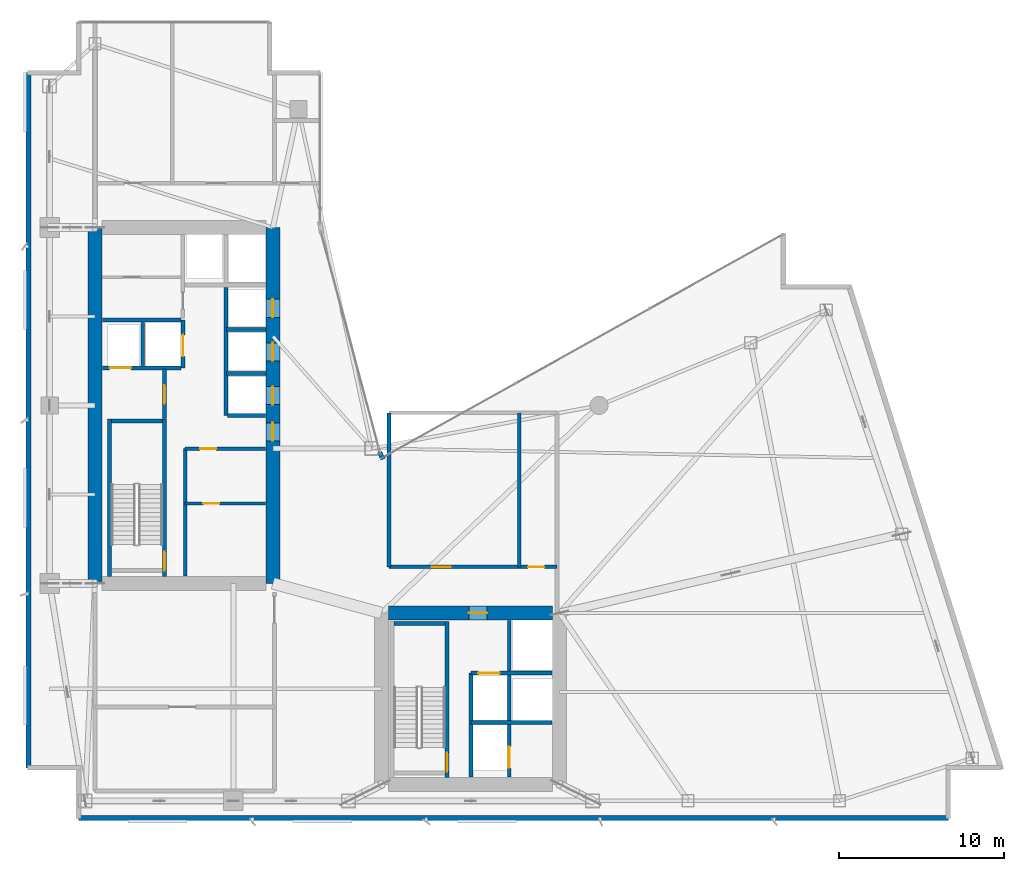
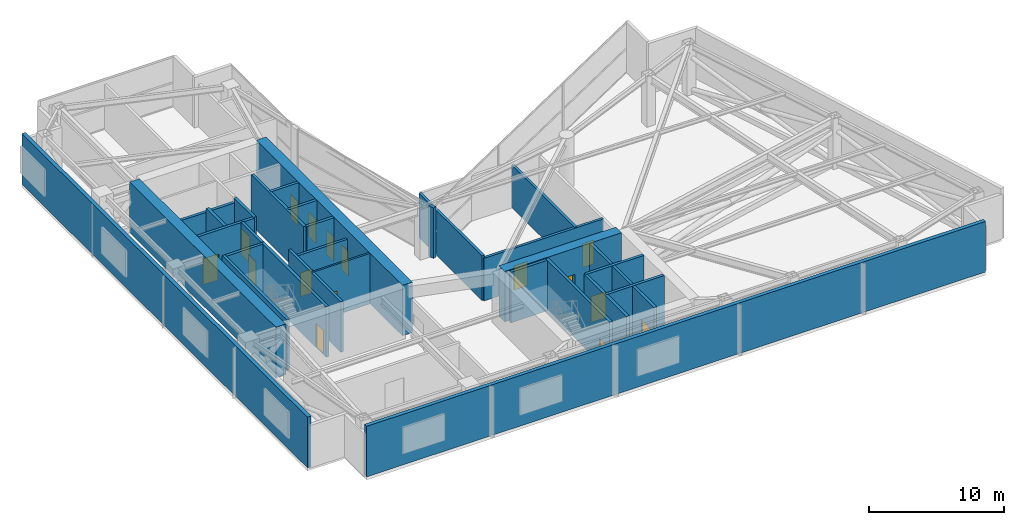
# One storey, part 15 of 19: 30 walls, 16 doors, 16 openings.
"""IFC4 building model written with IfcOpenShell, lengths in metres."""

from ifc_helpers import new_model, si_unit, direction, frame, frame_2d, origin, place, context, subcontext, project, spatial, rectangle, extrude, material, layer, layer_set, type_object, element, fill, save


model = new_model("IFC4")

# Units and contexts
model_context = context("Model", 3, precision=1e-05, world=origin(), true_north=direction((0.0, 1.0)))
body_context = subcontext(model_context, "Body", "Model", "MODEL_VIEW")
ifc_project = project(units=[si_unit("LENGTHUNIT", "METRE"), si_unit("AREAUNIT", "SQUARE_METRE"), si_unit("VOLUMEUNIT", "CUBIC_METRE"), si_unit("PLANEANGLEUNIT", "RADIAN"), si_unit("MASSUNIT", "GRAM", prefix="KILO")], contexts=[model_context])

# Site, building, storey
site_placement = place(None, origin())
site = spatial("IfcSite", under=ifc_project, at=site_placement, CompositionType="ELEMENT")
building_placement = place(site_placement, origin())
building = spatial("IfcBuilding", under=site, at=building_placement, Name="Calvorn Quay Hotel", CompositionType="ELEMENT")
storey_placement = place(building_placement, frame((0.0, 0.0, 139.199951171875)))
storey = spatial("IfcBuildingStorey", under=building, at=storey_placement, Name="L34", CompositionType="ELEMENT", Elevation=139.199951171875)

# Wall
ifc_material_1 = material(Name="Concrete C50", Category="concrete")
ifc_layer_1 = layer(ifc_material_1, 0.85009765625)
ifc_layer_set_1 = layer_set([ifc_layer_1], Name="WL-CORE-850")
wall_type_1 = type_object("IfcWallType", Name="WL-CORE-850", PredefinedType="SHEAR", material=ifc_layer_set_1)
wall_1_placement = place(storey_placement, frame((4.199951171875, 16.800048828125, 0.0), z_axis=(0.0, 0.0, 1.0), x_axis=(0.0, 1.0, 0.0)))
element("IfcWall", 1, at=wall_1_placement, inside=storey, type_object=wall_type_1, Name="West Core Shear Wall W (L34)", PredefinedType="SHEAR", context=body_context, shape_type="SweptSolid", body=[
    extrude(rectangle(XDim=21.599853515625, YDim=0.85009765625, at=frame_2d((10.7998046875, 0.0))), origin(), (0.0, 0.0, 1.0), 4.56005859375),
])

# Wall, openings, doors
wall_2_placement = place(storey_placement, frame((15.0, 16.800048828125, 0.0), z_axis=(0.0, 0.0, 1.0), x_axis=(0.0, 1.0, 0.0)))
wall_2 = element("IfcWall", 2, at=wall_2_placement, inside=storey, type_object=wall_type_1, Name="West Core Shear Wall E (L34)", PredefinedType="SHEAR", context=body_context, shape_type="SweptSolid", body=[
    extrude(rectangle(XDim=21.599853515625, YDim=0.85009765625, at=frame_2d((10.7998046875, 0.0))), origin(), (0.0, 0.0, 1.0), 4.56005859375),
])
opening_1_placement = place(wall_2_placement, frame((8.64990234375, 0.0, 0.0)))
opening_1 = element("IfcOpeningElement", 3, at=opening_1_placement, cuts=wall_2, Name="Opening D-L34-CW1", PredefinedType="OPENING", context=body_context, shape_type="SweptSolid", body=[
    extrude(rectangle(XDim=1.10009765625, YDim=2.199951171875, at=frame_2d((0.550048828125, 1.10009765625))), frame((0.0, 0.43505859375, 0.0), z_axis=(0.0, -1.0, 0.0), x_axis=(1.0, 0.0, 0.0)), (0.0, 0.0, 1.0), 0.8701171875),
])
opening_2_placement = place(wall_2_placement, frame((10.85009765625, 0.0, 0.0)))
opening_2 = element("IfcOpeningElement", 4, at=opening_2_placement, cuts=wall_2, Name="Opening LD-L34-M1", PredefinedType="OPENING", context=body_context, shape_type="SweptSolid", body=[
    extrude(rectangle(XDim=1.10009765625, YDim=2.199951171875, at=frame_2d((0.550048828125, 1.10009765625))), frame((0.0, 0.43505859375, 0.0), z_axis=(0.0, -1.0, 0.0), x_axis=(1.0, 0.0, 0.0)), (0.0, 0.0, 1.0), 0.8701171875),
])
opening_3_placement = place(wall_2_placement, frame((13.5, 0.0, 0.0)))
opening_3 = element("IfcOpeningElement", 5, at=opening_3_placement, cuts=wall_2, Name="Opening LD-L34-M2", PredefinedType="OPENING", context=body_context, shape_type="SweptSolid", body=[
    extrude(rectangle(XDim=1.10009765625, YDim=2.199951171875, at=frame_2d((0.550048828125, 1.10009765625))), frame((0.0, 0.43505859375, 0.0), z_axis=(0.0, -1.0, 0.0), x_axis=(1.0, 0.0, 0.0)), (0.0, 0.0, 1.0), 0.8701171875),
])
opening_4_placement = place(wall_2_placement, frame((16.14990234375, 0.0, 0.0)))
opening_4 = element("IfcOpeningElement", 6, at=opening_4_placement, cuts=wall_2, Name="Opening LD-L34-M3", PredefinedType="OPENING", context=body_context, shape_type="SweptSolid", body=[
    extrude(rectangle(XDim=1.10009765625, YDim=2.199951171875, at=frame_2d((0.550048828125, 1.10009765625))), frame((0.0, 0.43505859375, 0.0), z_axis=(0.0, -1.0, 0.0), x_axis=(1.0, 0.0, 0.0)), (0.0, 0.0, 1.0), 0.8701171875),
])
ifc_material_2 = material(Name="Smoke-Sealed Steel Class A Fire Door", Category="steel")
door_type_1 = type_object("IfcDoorType", Name="DR-FFLOBBY-1100", OperationType="NOTDEFINED", PredefinedType="DOOR", material=ifc_material_2)
door_1_placement = place(opening_1_placement, origin())
door_1 = element("IfcDoor", 7, at=door_1_placement, inside=storey, type_object=door_type_1, Name="West Core Vestibule Fire Door (L34)", OperationType="SINGLE_SWING_LEFT", OverallHeight=2.199951171875, OverallWidth=1.10009765625, PredefinedType="DOOR", context=body_context, shape_type="SweptSolid", body=[
    extrude(rectangle(XDim=1.10009765625, YDim=2.199951171875, at=frame_2d((0.550048828125, 1.10009765625))), frame((0.0, 0.02490234375, 0.0), z_axis=(0.0, -1.0, 0.0), x_axis=(1.0, 0.0, 0.0)), (0.0, 0.0, 1.0), 0.050048828125),
])
fill(opening_1, door_1)
ifc_material_3 = material(Name="Brushed Stainless Steel Sliding Lift Landing Door", Category="steel")
door_type_2 = type_object("IfcDoorType", Name="DR-LIFT-PASS-1100", OperationType="NOTDEFINED", PredefinedType="DOOR", material=ifc_material_3)
door_2_placement = place(opening_2_placement, origin())
door_2 = element("IfcDoor", 8, at=door_2_placement, inside=storey, type_object=door_type_2, Name="Mid-Rise Lift PL-M1 Landing Door (L34)", OperationType="DOUBLE_DOOR_SLIDING", OverallHeight=2.199951171875, OverallWidth=1.10009765625, PredefinedType="DOOR", context=body_context, shape_type="SweptSolid", body=[
    extrude(rectangle(XDim=1.10009765625, YDim=2.199951171875, at=frame_2d((0.550048828125, 1.10009765625))), frame((0.0, 0.02490234375, 0.0), z_axis=(0.0, -1.0, 0.0), x_axis=(1.0, 0.0, 0.0)), (0.0, 0.0, 1.0), 0.050048828125),
])
fill(opening_2, door_2)
door_3_placement = place(opening_3_placement, origin())
door_3 = element("IfcDoor", 9, at=door_3_placement, inside=storey, type_object=door_type_2, Name="Mid-Rise Lift PL-M2 Landing Door (L34)", OperationType="DOUBLE_DOOR_SLIDING", OverallHeight=2.199951171875, OverallWidth=1.10009765625, PredefinedType="DOOR", context=body_context, shape_type="SweptSolid", body=[
    extrude(rectangle(XDim=1.10009765625, YDim=2.199951171875, at=frame_2d((0.550048828125, 1.10009765625))), frame((0.0, 0.02490234375, 0.0), z_axis=(0.0, -1.0, 0.0), x_axis=(1.0, 0.0, 0.0)), (0.0, 0.0, 1.0), 0.050048828125),
])
fill(opening_3, door_3)
door_4_placement = place(opening_4_placement, origin())
door_4 = element("IfcDoor", 10, at=door_4_placement, inside=storey, type_object=door_type_2, Name="Mid-Rise Lift PL-M3 Landing Door (L34)", OperationType="DOUBLE_DOOR_SLIDING", OverallHeight=2.199951171875, OverallWidth=1.10009765625, PredefinedType="DOOR", context=body_context, shape_type="SweptSolid", body=[
    extrude(rectangle(XDim=1.10009765625, YDim=2.199951171875, at=frame_2d((0.550048828125, 1.10009765625))), frame((0.0, 0.02490234375, 0.0), z_axis=(0.0, -1.0, 0.0), x_axis=(1.0, 0.0, 0.0)), (0.0, 0.0, 1.0), 0.050048828125),
])
fill(opening_4, door_4)

# Wall, opening, door
wall_3_placement = place(storey_placement, frame((22.02490234375, 15.0, 0.0), z_axis=(0.0, 0.0, 1.0), x_axis=(1.0, 0.0, 0.0)))
wall_3 = element("IfcWall", 11, at=wall_3_placement, inside=storey, type_object=wall_type_1, Name="East Core Shear Wall N (L34)", PredefinedType="SHEAR", context=body_context, shape_type="SweptSolid", body=[
    extrude(rectangle(XDim=9.9501953125, YDim=0.85009765625, at=frame_2d((4.97509765625, 0.0))), origin(), (0.0, 0.0, 1.0), 4.56005859375),
])
opening_5_placement = place(wall_3_placement, frame((4.8798828125, 0.0, 0.0)))
opening_5 = element("IfcOpeningElement", 12, at=opening_5_placement, cuts=wall_3, Name="Opening D-L34-FLE", PredefinedType="OPENING", context=body_context, shape_type="SweptSolid", body=[
    extrude(rectangle(XDim=1.10009765625, YDim=2.199951171875, at=frame_2d((0.550048828125, 1.10009765625))), frame((0.0, 0.43505859375, 0.0), z_axis=(0.0, -1.0, 0.0), x_axis=(1.0, 0.0, 0.0)), (0.0, 0.0, 1.0), 0.8701171875),
])
door_5_placement = place(opening_5_placement, origin())
door_5 = element("IfcDoor", 13, at=door_5_placement, inside=storey, type_object=door_type_1, Name="East Firefighting Lobby Fire Door (L34)", OperationType="SINGLE_SWING_RIGHT", OverallHeight=2.199951171875, OverallWidth=1.10009765625, PredefinedType="DOOR", context=body_context, shape_type="SweptSolid", body=[
    extrude(rectangle(XDim=1.10009765625, YDim=2.199951171875, at=frame_2d((0.550048828125, 1.10009765625))), frame((0.0, 0.02490234375, 0.0), z_axis=(0.0, -1.0, 0.0), x_axis=(1.0, 0.0, 0.0)), (0.0, 0.0, 1.0), 0.050048828125),
])
fill(opening_5, door_5)

# Walls
ifc_material_4 = material(Name="Concrete C40", Category="concrete")
ifc_layer_2 = layer(ifc_material_4, 0.320068359375)
ifc_layer_set_2 = layer_set([ifc_layer_2], Name="WL-EXT-SPANDREL-320")
wall_type_2 = type_object("IfcWallType", Name="WL-EXT-SPANDREL-320", PredefinedType="SOLIDWALL", material=ifc_layer_set_2)
wall_4_placement = place(storey_placement, frame((0.159912109375, 5.60009765625, 0.0), z_axis=(0.0, 0.0, 1.0), x_axis=(0.0, 1.0, 0.0)))
element("IfcWall", 14, at=wall_4_placement, inside=storey, type_object=wall_type_2, Name="Refuge Mechanical Louvre Spandrel Wall West (L34)", PredefinedType="SOLIDWALL", context=body_context, shape_type="SweptSolid", body=[
    extrude(rectangle(XDim=42.199951171875, YDim=0.320068359375, at=frame_2d((21.10009765625, 0.0))), origin(), (0.0, 0.0, 1.0), 4.56005859375),
])
wall_5_placement = place(storey_placement, frame((3.199951171875, 2.56005859375, 0.0), z_axis=(0.0, 0.0, 1.0), x_axis=(1.0, 0.0, 0.0)))
element("IfcWall", 15, at=wall_5_placement, inside=storey, type_object=wall_type_2, Name="Refuge Mechanical Louvre Spandrel Wall South (L34)", PredefinedType="SOLIDWALL", context=body_context, shape_type="SweptSolid", body=[
    extrude(rectangle(XDim=52.800048828125, YDim=0.320068359375, at=frame_2d((26.39990234375, 0.0))), origin(), (0.0, 0.0, 1.0), 4.56005859375),
])
wall_6_placement = place(storey_placement, frame((21.679931640625, 24.340087890625, 0.0), z_axis=(0.0, 0.0, 1.0), x_axis=(-0.40758134973, 0.913168901875, 0.0)))
element("IfcWall", 16, at=wall_6_placement, inside=storey, type_object=wall_type_2, Name="Inner Court Corner Pier L34-ICJ1", PredefinedType="SOLIDWALL", context=body_context, shape_type="SweptSolid", body=[
    extrude(rectangle(XDim=0.470703125, YDim=0.280029296875, at=frame_2d((0.2353515625, 0.0))), origin(), (0.0, 0.0, 1.0), 4.56005859375),
])

# Wall, opening, door
ifc_material_5 = material(Name="Double-Stud Acoustic Gypsum Partition")
ifc_layer_3 = layer(ifc_material_5, 0.159912109375)
ifc_layer_set_3 = layer_set([ifc_layer_3], Name="WL-INTERSUITE-160")
wall_type_3 = type_object("IfcWallType", Name="WL-INTERSUITE-160", PredefinedType="PARTITIONING", material=ifc_layer_set_3)
wall_7_placement = place(storey_placement, frame((9.679931640625, 21.64990234375, 0.0), z_axis=(0.0, 0.0, 1.0), x_axis=(1.0, 0.0, 0.0)))
wall_7 = element("IfcWall", 17, at=wall_7_placement, inside=storey, type_object=wall_type_3, Name="Partition Wall L34-WL-CWW-FR-SPLIT", PredefinedType="PARTITIONING", context=body_context, shape_type="SweptSolid", body=[
    extrude(rectangle(XDim=4.875, YDim=0.159912109375, at=frame_2d((2.4375, 0.0))), origin(), (0.0, 0.0, 1.0), 4.56005859375),
])
opening_6_placement = place(wall_7_placement, frame((1.10009765625, 0.0, 0.0)))
opening_6 = element("IfcOpeningElement", 18, at=opening_6_placement, cuts=wall_7, Name="Opening D-L34-FRL1", PredefinedType="OPENING", context=body_context, shape_type="SweptSolid", body=[
    extrude(rectangle(XDim=0.97998046875, YDim=2.14990234375, at=frame_2d((0.489990234375, 1.074951171875))), frame((0.0, 0.08984375, 0.0), z_axis=(0.0, -1.0, 0.0), x_axis=(1.0, 0.0, 0.0)), (0.0, 0.0, 1.0), 0.179931640625),
])
ifc_material_6 = material(Name="Painted Steel Housekeeping/Riser Fire Door", Category="steel")
door_type_3 = type_object("IfcDoorType", Name="DR-SERVICE-980", OperationType="NOTDEFINED", PredefinedType="DOOR", material=ifc_material_6)
door_6_placement = place(opening_6_placement, origin())
door_6 = element("IfcDoor", 19, at=door_6_placement, inside=storey, type_object=door_type_3, Name="Linen Store Room Door (L34)", OperationType="SINGLE_SWING_LEFT", OverallHeight=2.14990234375, OverallWidth=0.97998046875, PredefinedType="DOOR", context=body_context, shape_type="SweptSolid", body=[
    extrude(rectangle(XDim=0.97998046875, YDim=2.14990234375, at=frame_2d((0.489990234375, 1.074951171875))), frame((0.0, 0.02490234375, 0.0), z_axis=(0.0, -1.0, 0.0), x_axis=(1.0, 0.0, 0.0)), (0.0, 0.0, 1.0), 0.050048828125),
])
fill(opening_6, door_6)

# Wall
ifc_material_7 = material(Name="Autoclaved Aerated Masonry Block", Category="masonry")
ifc_layer_4 = layer(ifc_material_7, 0.219970703125)
ifc_layer_set_4 = layer_set([ifc_layer_4], Name="WL-LOBBY-FIRE-220")
wall_type_4 = type_object("IfcWallType", Name="WL-LOBBY-FIRE-220", PredefinedType="SOLIDWALL", material=ifc_layer_set_4)
wall_8_placement = place(storey_placement, frame((9.679931640625, 17.2451171875, 0.0), z_axis=(0.0, 0.0, 1.0), x_axis=(0.0, 1.0, 0.0)))
element("IfcWall", 20, at=wall_8_placement, inside=storey, type_object=wall_type_4, Name="Partition Wall L34-WL-CWW-STW-HALL-E", PredefinedType="SOLIDWALL", context=body_context, shape_type="SweptSolid", body=[
    extrude(rectangle(XDim=7.7548828125, YDim=0.219970703125, at=frame_2d((3.87744140625, 0.0))), origin(), (0.0, 0.0, 1.0), 4.56005859375),
])

# Wall, opening, door
wall_9_placement = place(storey_placement, frame((9.679931640625, 24.969970703125, 0.0), z_axis=(0.0, 0.0, 1.0), x_axis=(1.0, 0.0, 0.0)))
wall_9 = element("IfcWall", 21, at=wall_9_placement, inside=storey, type_object=wall_type_4, Name="Partition Wall L34-WL-CWW-FR-N", PredefinedType="SOLIDWALL", context=body_context, shape_type="SweptSolid", body=[
    extrude(rectangle(XDim=4.875, YDim=0.219970703125, at=frame_2d((2.4375, 0.0))), origin(), (0.0, 0.0, 1.0), 3.840087890625),
])
opening_7_placement = place(wall_9_placement, frame((0.89990234375, 0.0, 0.0)))
opening_7 = element("IfcOpeningElement", 22, at=opening_7_placement, cuts=wall_9, Name="Opening D-L34-FRL2", PredefinedType="OPENING", context=body_context, shape_type="SweptSolid", body=[
    extrude(rectangle(XDim=0.97998046875, YDim=2.14990234375, at=frame_2d((0.489990234375, 1.074951171875))), frame((0.0, 0.119873046875, 0.0), z_axis=(0.0, -1.0, 0.0), x_axis=(1.0, 0.0, 0.0)), (0.0, 0.0, 1.0), 0.239990234375),
])
door_7_placement = place(opening_7_placement, origin())
door_7 = element("IfcDoor", 23, at=door_7_placement, inside=storey, type_object=door_type_3, Name="Beverage Pantry Door (L34)", OperationType="SINGLE_SWING_RIGHT", OverallHeight=2.14990234375, OverallWidth=0.97998046875, PredefinedType="DOOR", context=body_context, shape_type="SweptSolid", body=[
    extrude(rectangle(XDim=0.97998046875, YDim=2.14990234375, at=frame_2d((0.489990234375, 1.074951171875))), frame((0.0, 0.02490234375, 0.0), z_axis=(0.0, -1.0, 0.0), x_axis=(1.0, 0.0, 0.0)), (0.0, 0.0, 1.0), 0.050048828125),
])
fill(opening_7, door_7)

# Wall, openings, doors
wall_10_placement = place(storey_placement, frame((22.050048828125, 17.800048828125, 0.0), z_axis=(0.0, 0.0, 1.0), x_axis=(1.0, 0.0, 0.0)))
wall_10 = element("IfcWall", 24, at=wall_10_placement, inside=storey, type_object=wall_type_4, Name="Partition Wall L34-WL-RF-C-S", PredefinedType="SOLIDWALL", context=body_context, shape_type="SweptSolid", body=[
    extrude(rectangle(XDim=10.199951171875, YDim=0.219970703125, at=frame_2d((5.10009765625, 0.0))), origin(), (0.0, 0.0, 1.0), 3.840087890625),
])
opening_8_placement = place(wall_10_placement, frame((2.60009765625, 0.0, 0.0)))
opening_8 = element("IfcOpeningElement", 25, at=opening_8_placement, cuts=wall_10, Name="Opening D-L34-RF2", PredefinedType="OPENING", context=body_context, shape_type="SweptSolid", body=[
    extrude(rectangle(XDim=1.14990234375, YDim=2.199951171875, at=frame_2d((0.574951171875, 1.10009765625))), frame((0.0, 0.119873046875, 0.0), z_axis=(0.0, -1.0, 0.0), x_axis=(1.0, 0.0, 0.0)), (0.0, 0.0, 1.0), 0.239990234375),
])
opening_9_placement = place(wall_10_placement, frame((8.449951171875, 0.0, 0.0)))
opening_9 = element("IfcOpeningElement", 26, at=opening_9_placement, cuts=wall_10, Name="Opening D-L34-P4", PredefinedType="OPENING", context=body_context, shape_type="SweptSolid", body=[
    extrude(rectangle(XDim=0.97998046875, YDim=2.14990234375, at=frame_2d((0.489990234375, 1.074951171875))), frame((0.0, 0.119873046875, 0.0), z_axis=(0.0, -1.0, 0.0), x_axis=(1.0, 0.0, 0.0)), (0.0, 0.0, 1.0), 0.239990234375),
])
door_8_placement = place(opening_9_placement, origin())
door_8 = element("IfcDoor", 27, at=door_8_placement, inside=storey, type_object=door_type_3, Name="Pressurization Fan Plant Door", OperationType="SINGLE_SWING_RIGHT", OverallHeight=2.14990234375, OverallWidth=0.97998046875, PredefinedType="DOOR", context=body_context, shape_type="SweptSolid", body=[
    extrude(rectangle(XDim=0.97998046875, YDim=2.14990234375, at=frame_2d((0.489990234375, 1.074951171875))), frame((0.0, 0.02490234375, 0.0), z_axis=(0.0, -1.0, 0.0), x_axis=(1.0, 0.0, 0.0)), (0.0, 0.0, 1.0), 0.050048828125),
])
fill(opening_9, door_8)
ifc_material_8 = material(Name="Galvanised Steel Class A Fire Door", Category="steel")
door_type_4 = type_object("IfcDoorType", Name="DR-STAIR-SMOKE-1150", OperationType="NOTDEFINED", PredefinedType="DOOR", material=ifc_material_8)
door_9_placement = place(opening_8_placement, origin())
door_9 = element("IfcDoor", 28, at=door_9_placement, inside=storey, type_object=door_type_4, Name="Harbour Refuge Area Fire Door", OperationType="SINGLE_SWING_LEFT", OverallHeight=2.199951171875, OverallWidth=1.14990234375, PredefinedType="DOOR", context=body_context, shape_type="SweptSolid", body=[
    extrude(rectangle(XDim=1.14990234375, YDim=2.199951171875, at=frame_2d((0.574951171875, 1.10009765625))), frame((0.0, 0.02490234375, 0.0), z_axis=(0.0, -1.0, 0.0), x_axis=(1.0, 0.0, 0.0)), (0.0, 0.0, 1.0), 0.050048828125),
])
fill(opening_8, door_9)

# Walls
wall_11_placement = place(storey_placement, frame((29.949951171875, 17.800048828125, 0.0), z_axis=(0.0, 0.0, 1.0), x_axis=(0.0, 1.0, 0.0)))
element("IfcWall", 29, at=wall_11_placement, inside=storey, type_object=wall_type_4, Name="Partition Wall L34-WL-RF-C-DIV", PredefinedType="SOLIDWALL", context=body_context, shape_type="SweptSolid", body=[
    extrude(rectangle(XDim=9.349853515625, YDim=0.219970703125, at=frame_2d((4.6748046875, 0.0))), origin(), (0.0, 0.0, 1.0), 3.840087890625),
])
wall_12_placement = place(storey_placement, frame((22.050048828125, 17.800048828125, 0.0), z_axis=(0.0, 0.0, 1.0), x_axis=(0.0, 1.0, 0.0)))
element("IfcWall", 30, at=wall_12_placement, inside=storey, type_object=wall_type_4, Name="Partition Wall L34-WL-RF-C-W", PredefinedType="SOLIDWALL", context=body_context, shape_type="SweptSolid", body=[
    extrude(rectangle(XDim=9.349853515625, YDim=0.219970703125, at=frame_2d((4.6748046875, 0.0))), origin(), (0.0, 0.0, 1.0), 4.0400390625),
])
ifc_material_9 = material(Name="Concrete C40", Category="concrete")
ifc_layer_5 = layer(ifc_material_9, 0.239990234375)
ifc_layer_set_5 = layer_set([ifc_layer_5], Name="WL-SHAFT-240")
wall_type_5 = type_object("IfcWallType", Name="WL-SHAFT-240", PredefinedType="SOLIDWALL", material=ifc_layer_set_5)
wall_13_placement = place(storey_placement, frame((5.080078125, 17.22509765625, 0.0), z_axis=(0.0, 0.0, 1.0), x_axis=(0.0, 1.0, 0.0)))
element("IfcWall", 31, at=wall_13_placement, inside=storey, type_object=wall_type_5, Name="Stair STW Shaft Wall W (L34)", PredefinedType="SOLIDWALL", context=body_context, shape_type="SweptSolid", body=[
    extrude(rectangle(XDim=9.56494140625, YDim=0.239990234375, at=frame_2d((4.782470703125, 0.0))), origin(), (0.0, 0.0, 1.0), 4.56005859375),
])

# Wall, opening, door
wall_14_placement = place(storey_placement, frame((8.419921875, 17.22509765625, 0.0), z_axis=(0.0, 0.0, 1.0), x_axis=(0.0, 1.0, 0.0)))
wall_14 = element("IfcWall", 32, at=wall_14_placement, inside=storey, type_object=wall_type_5, Name="Stair STW Shaft Wall E (L34)", PredefinedType="SOLIDWALL", context=body_context, shape_type="SweptSolid", body=[
    extrude(rectangle(XDim=9.56494140625, YDim=0.239990234375, at=frame_2d((4.782470703125, 0.0))), origin(), (0.0, 0.0, 1.0), 4.56005859375),
])
opening_10_placement = place(wall_14_placement, frame((0.35009765625, 0.0, 0.0)))
opening_10 = element("IfcOpeningElement", 33, at=opening_10_placement, cuts=wall_14, Name="Opening D-L34-STW", PredefinedType="OPENING", context=body_context, shape_type="SweptSolid", body=[
    extrude(rectangle(XDim=1.14990234375, YDim=2.199951171875, at=frame_2d((0.574951171875, 1.10009765625))), frame((0.0, 0.1298828125, 0.0), z_axis=(0.0, -1.0, 0.0), x_axis=(1.0, 0.0, 0.0)), (0.0, 0.0, 1.0), 0.260009765625),
])
door_10_placement = place(opening_10_placement, origin())
door_10 = element("IfcDoor", 34, at=door_10_placement, inside=storey, type_object=door_type_4, Name="Stair ST-W Fire Door (L34)", OperationType="SINGLE_SWING_LEFT", OverallHeight=2.199951171875, OverallWidth=1.14990234375, PredefinedType="DOOR", context=body_context, shape_type="SweptSolid", body=[
    extrude(rectangle(XDim=1.14990234375, YDim=2.199951171875, at=frame_2d((0.574951171875, 1.10009765625))), frame((0.0, 0.02490234375, 0.0), z_axis=(0.0, -1.0, 0.0), x_axis=(1.0, 0.0, 0.0)), (0.0, 0.0, 1.0), 0.050048828125),
])
fill(opening_10, door_10)

# Wall
wall_15_placement = place(storey_placement, frame((5.199951171875, 26.669921875, 0.0), z_axis=(0.0, 0.0, 1.0), x_axis=(1.0, 0.0, 0.0)))
element("IfcWall", 35, at=wall_15_placement, inside=storey, type_object=wall_type_5, Name="Stair STW Shaft Wall N (L34)", PredefinedType="SOLIDWALL", context=body_context, shape_type="SweptSolid", body=[
    extrude(rectangle(XDim=3.10009765625, YDim=0.239990234375, at=frame_2d((1.550048828125, 0.0))), origin(), (0.0, 0.0, 1.0), 4.56005859375),
])

# Wall, opening, door
wall_16_placement = place(storey_placement, frame((25.570068359375, 5.02490234375, 0.0), z_axis=(0.0, 0.0, 1.0), x_axis=(0.0, 1.0, 0.0)))
wall_16 = element("IfcWall", 36, at=wall_16_placement, inside=storey, type_object=wall_type_5, Name="Stair STE Shaft Wall E (L34)", PredefinedType="SOLIDWALL", context=body_context, shape_type="SweptSolid", body=[
    extrude(rectangle(XDim=9.465087890625, YDim=0.239990234375, at=frame_2d((4.732421875, 0.0))), origin(), (0.0, 0.0, 1.0), 4.56005859375),
])
opening_11_placement = place(wall_16_placement, frame((0.35009765625, 0.0, 0.0)))
opening_11 = element("IfcOpeningElement", 37, at=opening_11_placement, cuts=wall_16, Name="Opening D-L34-STE", PredefinedType="OPENING", context=body_context, shape_type="SweptSolid", body=[
    extrude(rectangle(XDim=1.14990234375, YDim=2.199951171875, at=frame_2d((0.574951171875, 1.10009765625))), frame((0.0, 0.1298828125, 0.0), z_axis=(0.0, -1.0, 0.0), x_axis=(1.0, 0.0, 0.0)), (0.0, 0.0, 1.0), 0.260009765625),
])
door_11_placement = place(opening_11_placement, origin())
door_11 = element("IfcDoor", 38, at=door_11_placement, inside=storey, type_object=door_type_4, Name="Stair ST-E Fire Door (L34)", OperationType="SINGLE_SWING_RIGHT", OverallHeight=2.199951171875, OverallWidth=1.14990234375, PredefinedType="DOOR", context=body_context, shape_type="SweptSolid", body=[
    extrude(rectangle(XDim=1.14990234375, YDim=2.199951171875, at=frame_2d((0.574951171875, 1.10009765625))), frame((0.0, 0.02490234375, 0.0), z_axis=(0.0, -1.0, 0.0), x_axis=(1.0, 0.0, 0.0)), (0.0, 0.0, 1.0), 0.050048828125),
])
fill(opening_11, door_11)

# Walls
wall_17_placement = place(storey_placement, frame((22.35009765625, 14.3701171875, 0.0), z_axis=(0.0, 0.0, 1.0), x_axis=(1.0, 0.0, 0.0)))
element("IfcWall", 39, at=wall_17_placement, inside=storey, type_object=wall_type_5, Name="Stair STE Shaft Wall N (L34)", PredefinedType="SOLIDWALL", context=body_context, shape_type="SweptSolid", body=[
    extrude(rectangle(XDim=3.099853515625, YDim=0.239990234375, at=frame_2d((1.5498046875, 0.0))), origin(), (0.0, 0.0, 1.0), 4.56005859375),
])
for number, where, z_axis, x_axis, name in (
    (40, (12.179931640625, 29.550048828125, 0.0), (0.0, 0.0, 1.0), (1.0, 0.0, 0.0), "Lift Hoistway Divider Wall PLM12 (L34)"),
    (41, (12.179931640625, 32.199951171875, 0.0), (0.0, 0.0, 1.0), (1.0, 0.0, 0.0), "Lift Hoistway Divider Wall PLM23 (L34)"),
):
    element("IfcWall", number, at=place(storey_placement, frame(where, z_axis=z_axis, x_axis=x_axis)), inside=storey, type_object=wall_type_5, Name=name, PredefinedType="SOLIDWALL", context=body_context, shape_type="SweptSolid", body=[
        extrude(rectangle(XDim=2.39501953125, YDim=0.239990234375, at=frame_2d((1.197509765625, 0.0))), origin(), (0.0, 0.0, 1.0), 4.56005859375),
    ])

# Wall, opening, door
wall_18_placement = place(storey_placement, frame((8.419921875, 26.820068359375, 0.0), z_axis=(0.0, 0.0, 1.0), x_axis=(0.0, 1.0, 0.0)))
wall_18 = element("IfcWall", 42, at=wall_18_placement, inside=storey, type_object=wall_type_5, Name="Partition Wall L34-WL-CWW-FFL-E", PredefinedType="SOLIDWALL", context=body_context, shape_type="SweptSolid", body=[
    extrude(rectangle(XDim=3.0, YDim=0.239990234375, at=frame_2d((1.5, 0.0))), origin(), (0.0, 0.0, 1.0), 4.56005859375),
])
opening_12_placement = place(wall_18_placement, frame((0.89990234375, 0.0, 0.0)))
opening_12 = element("IfcOpeningElement", 43, at=opening_12_placement, cuts=wall_18, Name="Opening D-L34-FLW", PredefinedType="OPENING", context=body_context, shape_type="SweptSolid", body=[
    extrude(rectangle(XDim=1.10009765625, YDim=2.199951171875, at=frame_2d((0.550048828125, 1.10009765625))), frame((0.0, 0.1298828125, 0.0), z_axis=(0.0, -1.0, 0.0), x_axis=(1.0, 0.0, 0.0)), (0.0, 0.0, 1.0), 0.260009765625),
])
door_12_placement = place(opening_12_placement, origin())
door_12 = element("IfcDoor", 44, at=door_12_placement, inside=storey, type_object=door_type_1, Name="West Firefighting Lobby Fire Door (L34)", OperationType="SINGLE_SWING_RIGHT", OverallHeight=2.199951171875, OverallWidth=1.10009765625, PredefinedType="DOOR", context=body_context, shape_type="SweptSolid", body=[
    extrude(rectangle(XDim=1.10009765625, YDim=2.199951171875, at=frame_2d((0.550048828125, 1.10009765625))), frame((0.0, 0.02490234375, 0.0), z_axis=(0.0, -1.0, 0.0), x_axis=(1.0, 0.0, 0.0)), (0.0, 0.0, 1.0), 0.050048828125),
])
fill(opening_12, door_12)

wall_19_placement = place(storey_placement, frame((4.64501953125, 29.8798828125, 0.0), z_axis=(0.0, 0.0, 1.0), x_axis=(1.0, 0.0, 0.0)))
wall_19 = element("IfcWall", 45, at=wall_19_placement, inside=storey, type_object=wall_type_5, Name="Partition Wall L34-WL-CWW-FLW-S", PredefinedType="SOLIDWALL", context=body_context, shape_type="SweptSolid", body=[
    extrude(rectangle(XDim=4.77490234375, YDim=0.239990234375, at=frame_2d((2.387451171875, 0.0))), origin(), (0.0, 0.0, 1.0), 4.56005859375),
])
opening_13_placement = place(wall_19_placement, frame((0.449951171875, 0.0, 0.0)))
opening_13 = element("IfcOpeningElement", 46, at=opening_13_placement, cuts=wall_19, Name="Opening LD-L34-FLW1", PredefinedType="OPENING", context=body_context, shape_type="SweptSolid", body=[
    extrude(rectangle(XDim=1.300048828125, YDim=2.35009765625, at=frame_2d((0.64990234375, 1.175048828125))), frame((0.0, 0.1298828125, 0.0), z_axis=(0.0, -1.0, 0.0), x_axis=(1.0, 0.0, 0.0)), (0.0, 0.0, 1.0), 0.260009765625),
])
ifc_material_10 = material(Name="Champagne-Bronze Sliding Express Lift Landing Door")
door_type_5 = type_object("IfcDoorType", Name="DR-LIFT-SHUTTLE-1300", OperationType="NOTDEFINED", PredefinedType="DOOR", material=ifc_material_10)
door_13_placement = place(opening_13_placement, origin())
door_13 = element("IfcDoor", 47, at=door_13_placement, inside=storey, type_object=door_type_5, Name="Firefighting Lift FL-W1 Landing Door (L34)", OperationType="DOUBLE_DOOR_SLIDING", OverallHeight=2.35009765625, OverallWidth=1.300048828125, PredefinedType="DOOR", context=body_context, shape_type="SweptSolid", body=[
    extrude(rectangle(XDim=1.300048828125, YDim=2.35009765625, at=frame_2d((0.64990234375, 1.175048828125))), frame((0.0, 0.02490234375, 0.0), z_axis=(0.0, -1.0, 0.0), x_axis=(1.0, 0.0, 0.0)), (0.0, 0.0, 1.0), 0.050048828125),
])
fill(opening_13, door_13)

# Wall
wall_20_placement = place(storey_placement, frame((7.10009765625, 30.02001953125, 0.0), z_axis=(0.0, 0.0, 1.0), x_axis=(0.0, 1.0, 0.0)))
element("IfcWall", 48, at=wall_20_placement, inside=storey, type_object=wall_type_5, Name="Partition Wall L34-WL-CWW-FLW-DIV", PredefinedType="SOLIDWALL", context=body_context, shape_type="SweptSolid", body=[
    extrude(rectangle(XDim=2.6298828125, YDim=0.239990234375, at=frame_2d((1.31494140625, 0.0))), origin(), (0.0, 0.0, 1.0), 4.56005859375),
])

# Wall, opening, door
wall_21_placement = place(storey_placement, frame((9.5400390625, 29.8798828125, 0.0), z_axis=(0.0, 0.0, 1.0), x_axis=(0.0, 1.0, 0.0)))
wall_21 = element("IfcWall", 49, at=wall_21_placement, inside=storey, type_object=wall_type_5, Name="Partition Wall L34-WL-CWW-SLW-E", PredefinedType="SOLIDWALL", context=body_context, shape_type="SweptSolid", body=[
    extrude(rectangle(XDim=2.900146484375, YDim=0.239990234375, at=frame_2d((1.4501953125, 0.0))), origin(), (0.0, 0.0, 1.0), 4.56005859375),
])
opening_14_placement = place(wall_21_placement, frame((0.699951171875, 0.0, 0.0)))
opening_14 = element("IfcOpeningElement", 50, at=opening_14_placement, cuts=wall_21, Name="Opening LD-L34-SLW1", PredefinedType="OPENING", context=body_context, shape_type="SweptSolid", body=[
    extrude(rectangle(XDim=1.300048828125, YDim=2.35009765625, at=frame_2d((0.64990234375, 1.175048828125))), frame((0.0, 0.1298828125, 0.0), z_axis=(0.0, -1.0, 0.0), x_axis=(1.0, 0.0, 0.0)), (0.0, 0.0, 1.0), 0.260009765625),
])
door_14_placement = place(opening_14_placement, origin())
door_14 = element("IfcDoor", 51, at=door_14_placement, inside=storey, type_object=door_type_5, Name="Service Lift SL-W1 Landing Door (L34)", OperationType="DOUBLE_DOOR_SLIDING", OverallHeight=2.35009765625, OverallWidth=1.300048828125, PredefinedType="DOOR", context=body_context, shape_type="SweptSolid", body=[
    extrude(rectangle(XDim=1.300048828125, YDim=2.35009765625, at=frame_2d((0.64990234375, 1.175048828125))), frame((0.0, 0.02490234375, 0.0), z_axis=(0.0, -1.0, 0.0), x_axis=(1.0, 0.0, 0.0)), (0.0, 0.0, 1.0), 0.050048828125),
])
fill(opening_14, door_14)

# Walls
wall_22_placement = place(storey_placement, frame((4.64501953125, 32.780029296875, 0.0), z_axis=(0.0, 0.0, 1.0), x_axis=(1.0, 0.0, 0.0)))
element("IfcWall", 52, at=wall_22_placement, inside=storey, type_object=wall_type_5, Name="Partition Wall L34-WL-CWW-SLW-N", PredefinedType="SOLIDWALL", context=body_context, shape_type="SweptSolid", body=[
    extrude(rectangle(XDim=4.77490234375, YDim=0.239990234375, at=frame_2d((2.387451171875, 0.0))), origin(), (0.0, 0.0, 1.0), 4.18994140625),
])
wall_23_placement = place(storey_placement, frame((12.25, 27.0, 0.0), z_axis=(0.0, 0.0, 1.0), x_axis=(1.0, 0.0, 0.0)))
element("IfcWall", 53, at=wall_23_placement, inside=storey, type_object=wall_type_5, Name="Partition Wall L34-WL-CWW-PLM-S", PredefinedType="SOLIDWALL", context=body_context, shape_type="SweptSolid", body=[
    extrude(rectangle(XDim=2.304931640625, YDim=0.239990234375, at=frame_2d((1.15234375, 0.0))), origin(), (0.0, 0.0, 1.0), 4.56005859375),
])
wall_24_placement = place(storey_placement, frame((12.14990234375, 27.0, 0.0), z_axis=(0.0, 0.0, 1.0), x_axis=(0.0, 1.0, 0.0)))
element("IfcWall", 54, at=wall_24_placement, inside=storey, type_object=wall_type_5, Name="Partition Wall L34-WL-CWW-PLM-W", PredefinedType="SOLIDWALL", context=body_context, shape_type="SweptSolid", body=[
    extrude(rectangle(XDim=7.75, YDim=0.239990234375, at=frame_2d((3.875, 0.0))), origin(), (0.0, 0.0, 1.0), 4.56005859375),
])
wall_25_placement = place(storey_placement, frame((27.02001953125, 5.044921875, 0.0), z_axis=(0.0, 0.0, 1.0), x_axis=(0.0, 1.0, 0.0)))
element("IfcWall", 55, at=wall_25_placement, inside=storey, type_object=wall_type_5, Name="Partition Wall L34-WL-CWE-SH-W", PredefinedType="SOLIDWALL", context=body_context, shape_type="SweptSolid", body=[
    extrude(rectangle(XDim=6.30517578125, YDim=0.239990234375, at=frame_2d((3.152587890625, 0.0))), origin(), (0.0, 0.0, 1.0), 4.56005859375),
])

# Wall, opening, door
wall_26_placement = place(storey_placement, frame((27.02001953125, 11.35009765625, 0.0), z_axis=(0.0, 0.0, 1.0), x_axis=(1.0, 0.0, 0.0)))
wall_26 = element("IfcWall", 56, at=wall_26_placement, inside=storey, type_object=wall_type_5, Name="Partition Wall L34-WL-CWE-FFL-S", PredefinedType="SOLIDWALL", context=body_context, shape_type="SweptSolid", body=[
    extrude(rectangle(XDim=4.93505859375, YDim=0.239990234375, at=frame_2d((2.467529296875, 0.0))), origin(), (0.0, 0.0, 1.0), 4.56005859375),
])
opening_15_placement = place(wall_26_placement, frame((0.449951171875, 0.0, 0.0)))
opening_15 = element("IfcOpeningElement", 57, at=opening_15_placement, cuts=wall_26, Name="Opening LD-L34-FLE1", PredefinedType="OPENING", context=body_context, shape_type="SweptSolid", body=[
    extrude(rectangle(XDim=1.300048828125, YDim=2.35009765625, at=frame_2d((0.64990234375, 1.175048828125))), frame((0.0, 0.1298828125, 0.0), z_axis=(0.0, -1.0, 0.0), x_axis=(1.0, 0.0, 0.0)), (0.0, 0.0, 1.0), 0.260009765625),
])
door_15_placement = place(opening_15_placement, origin())
door_15 = element("IfcDoor", 58, at=door_15_placement, inside=storey, type_object=door_type_5, Name="Firefighting Lift FL-E1 Landing Door (L34)", OperationType="DOUBLE_DOOR_SLIDING", OverallHeight=2.35009765625, OverallWidth=1.300048828125, PredefinedType="DOOR", context=body_context, shape_type="SweptSolid", body=[
    extrude(rectangle(XDim=1.300048828125, YDim=2.35009765625, at=frame_2d((0.64990234375, 1.175048828125))), frame((0.0, 0.02490234375, 0.0), z_axis=(0.0, -1.0, 0.0), x_axis=(1.0, 0.0, 0.0)), (0.0, 0.0, 1.0), 0.050048828125),
])
fill(opening_15, door_15)

# Wall
wall_27_placement = place(storey_placement, frame((27.02001953125, 8.35009765625, 0.0), z_axis=(0.0, 0.0, 1.0), x_axis=(1.0, 0.0, 0.0)))
element("IfcWall", 59, at=wall_27_placement, inside=storey, type_object=wall_type_5, Name="Partition Wall L34-WL-CWE-SL-N", PredefinedType="SOLIDWALL", context=body_context, shape_type="SweptSolid", body=[
    extrude(rectangle(XDim=4.93505859375, YDim=0.239990234375, at=frame_2d((2.467529296875, 0.0))), origin(), (0.0, 0.0, 1.0), 4.56005859375),
])

# Wall, opening, door
wall_28_placement = place(storey_placement, frame((29.35009765625, 5.044921875, 0.0), z_axis=(0.0, 0.0, 1.0), x_axis=(0.0, 1.0, 0.0)))
wall_28 = element("IfcWall", 60, at=wall_28_placement, inside=storey, type_object=wall_type_5, Name="Partition Wall L34-WL-CWE-OB-W", PredefinedType="SOLIDWALL", context=body_context, shape_type="SweptSolid", body=[
    extrude(rectangle(XDim=9.510009765625, YDim=0.239990234375, at=frame_2d((4.7548828125, 0.0))), origin(), (0.0, 0.0, 1.0), 4.56005859375),
])
opening_16_placement = place(wall_28_placement, frame((0.550048828125, 0.0, 0.0)))
opening_16 = element("IfcOpeningElement", 61, at=opening_16_placement, cuts=wall_28, Name="Opening LD-L34-SLEI", PredefinedType="OPENING", context=body_context, shape_type="SweptSolid", body=[
    extrude(rectangle(XDim=1.300048828125, YDim=2.35009765625, at=frame_2d((0.64990234375, 1.175048828125))), frame((0.0, 0.1298828125, 0.0), z_axis=(0.0, -1.0, 0.0), x_axis=(1.0, 0.0, 0.0)), (0.0, 0.0, 1.0), 0.260009765625),
])
door_16_placement = place(opening_16_placement, origin())
door_16 = element("IfcDoor", 62, at=door_16_placement, inside=storey, type_object=door_type_5, Name="Service Lift SL-E1 Landing Door (L34)", OperationType="DOUBLE_DOOR_SLIDING", OverallHeight=2.35009765625, OverallWidth=1.300048828125, PredefinedType="DOOR", context=body_context, shape_type="SweptSolid", body=[
    extrude(rectangle(XDim=1.300048828125, YDim=2.35009765625, at=frame_2d((0.64990234375, 1.175048828125))), frame((0.0, 0.02490234375, 0.0), z_axis=(0.0, -1.0, 0.0), x_axis=(1.0, 0.0, 0.0)), (0.0, 0.0, 1.0), 0.050048828125),
])
fill(opening_16, door_16)

save(model, "model.ifc")
